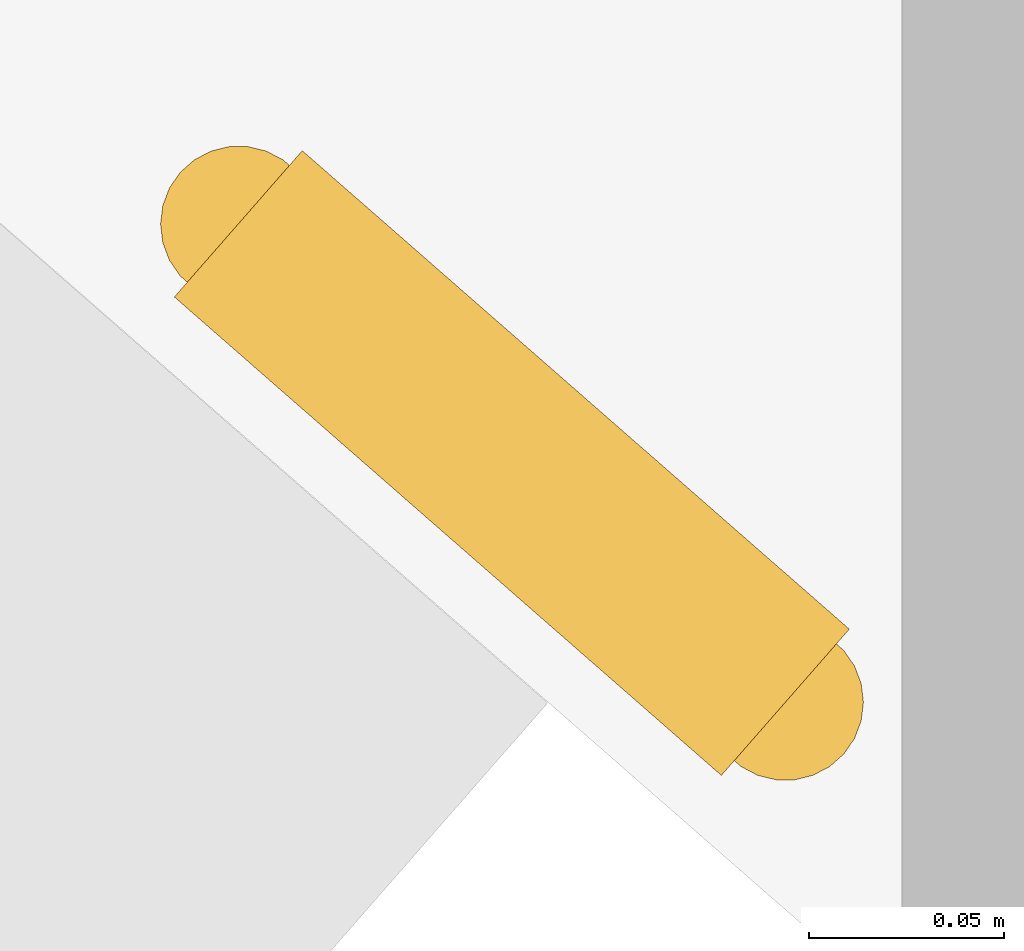
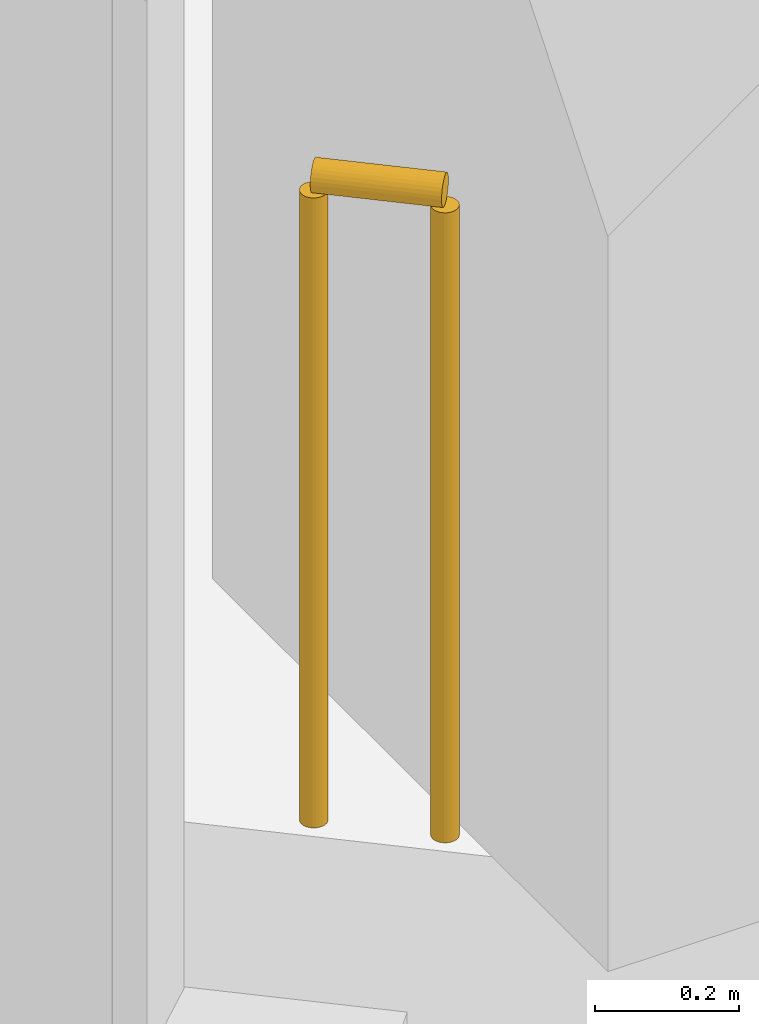
# One storey, part 33 of 38: 1 railing.
"""IFC4 building model written with IfcOpenShell, lengths in metres."""

from ifc_helpers import new_model, si_unit, direction, frame, origin, origin_2d, place, context, subcontext, project, spatial, circle, extrude, material, type_object, element, save


model = new_model("IFC4")

# Units and contexts
model_context = context("Model", 3, precision=1e-05, world=origin(), true_north=direction((0.0, 1.0)))
body_context = subcontext(model_context, "Body", "Model", "MODEL_VIEW")
ifc_project = project(units=[si_unit("LENGTHUNIT", "METRE"), si_unit("AREAUNIT", "SQUARE_METRE"), si_unit("VOLUMEUNIT", "CUBIC_METRE"), si_unit("PLANEANGLEUNIT", "RADIAN"), si_unit("MASSUNIT", "GRAM", prefix="KILO")], contexts=[model_context])

# Site, building, storey
site_placement = place(None, origin())
site = spatial("IfcSite", under=ifc_project, at=site_placement, CompositionType="ELEMENT")
building_placement = place(site_placement, origin())
building = spatial("IfcBuilding", under=site, at=building_placement, Name="Orlundy Tower", CompositionType="ELEMENT")
storey_placement = place(building_placement, frame((0.0, 0.0, 72.800048828125)))
storey = spatial("IfcBuildingStorey", under=building, at=storey_placement, Name="L17", CompositionType="ELEMENT", Elevation=72.800048828125)

# Railing
ifc_material = material(Name="Stainless steel bronze finish", Category="steel")
railing_type = type_object("IfcRailingType", Name="TG1 terrace guard", PredefinedType="GUARDRAIL", material=ifc_material)
railing_placement = place(storey_placement, frame((-46.7529296875, -38.10400390625, 0.0)))
element("IfcRailing", 1, at=railing_placement, inside=storey, type_object=railing_type, Name="Guard TG-L17-E01", PredefinedType="GUARDRAIL", context=body_context, shape_type="SweptSolid", body=[
    extrude(circle(Radius=0.02490234375, at=origin_2d()), frame((0.0, 0.0, 1.09521484375), z_axis=(-0.752739145175, 0.658318903968, 0.0), x_axis=(-0.658318903968, -0.752739145175, 0.0)), (0.0, 0.0, 1.0), 0.186279296875),
    extrude(circle(Radius=0.02001953125, at=origin_2d()), origin(), (0.0, 0.0, 1.0), 1.070068359375),
    extrude(circle(Radius=0.02001953125, at=origin_2d()), frame((-0.14013671875, 0.12255859375, 0.0)), (0.0, 0.0, 1.0), 1.070068359375),
])

save(model, "model.ifc")
